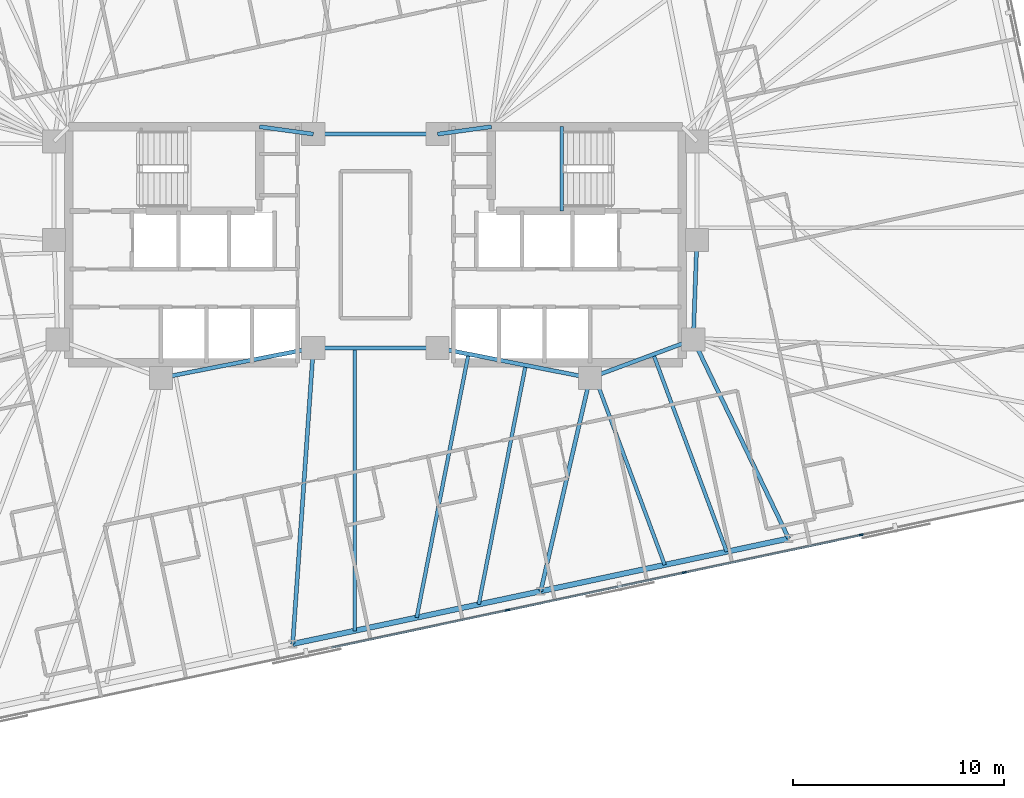
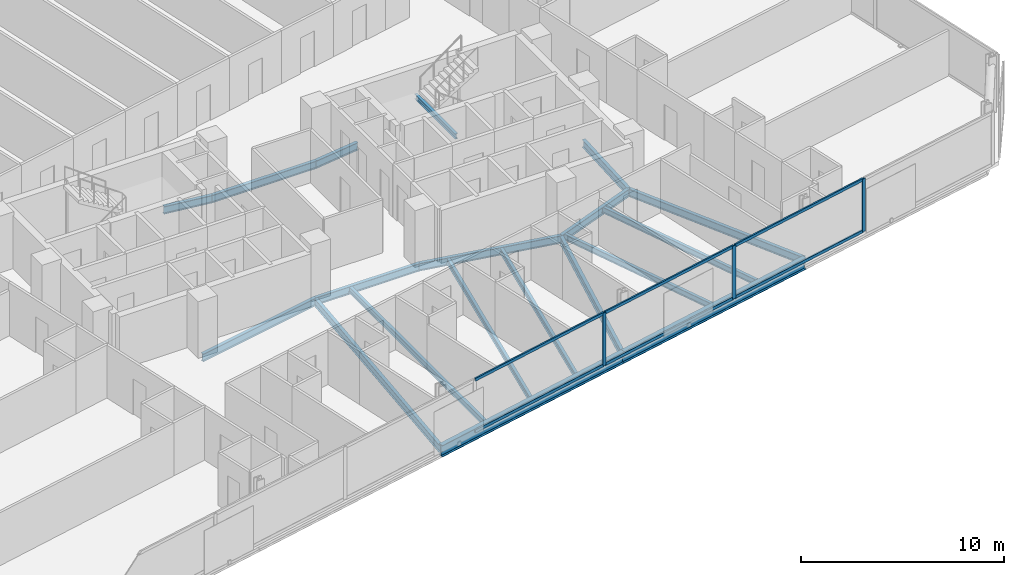
# One storey, part 7 of 21: 19 beams, 9 members, 1 element without a shape of its own.
"""IFC4 building model written with IfcOpenShell, lengths in metres."""

from ifc_helpers import new_model, si_unit, direction, frame, origin, origin_2d, place, context, subcontext, project, spatial, rectangle, i_section, extrude, material, material_profile, profile_set, type_object, element, aggregate, save


model = new_model("IFC4")

# Units and contexts
model_context = context("Model", 3, precision=1e-05, world=origin(), true_north=direction((0.0, 1.0)))
body_context = subcontext(model_context, "Body", "Model", "MODEL_VIEW")
ifc_project = project(units=[si_unit("LENGTHUNIT", "METRE"), si_unit("AREAUNIT", "SQUARE_METRE"), si_unit("VOLUMEUNIT", "CUBIC_METRE"), si_unit("PLANEANGLEUNIT", "RADIAN"), si_unit("MASSUNIT", "GRAM", prefix="KILO")], contexts=[model_context])

# Site, building, storey
site_placement = place(None, origin())
site = spatial("IfcSite", under=ifc_project, at=site_placement, CompositionType="ELEMENT")
building_placement = place(site_placement, origin())
building = spatial("IfcBuilding", under=site, at=building_placement, Name="Menara Jurai Vektor", CompositionType="ELEMENT")
storey_placement = place(building_placement, frame((0.0, 0.0, 188.800048828125)))
storey = spatial("IfcBuildingStorey", under=building, at=storey_placement, Name="L49", CompositionType="ELEMENT", Elevation=188.800048828125)

# Curtain wall, members
ifc_material_1 = material(Name="Anodised Pale Aluminium & Low-E Double Glazing", Category="aluminium")
curtain_wall_type = type_object("IfcCurtainWallType", Name="CW-BLK3", PredefinedType="NOTDEFINED", material=ifc_material_1)
curtain_wall_placement = place(storey_placement, origin())
curtain_wall = element("IfcCurtainWall", 1, at=curtain_wall_placement, inside=storey, type_object=curtain_wall_type, Name="Unitised Curtain Wall L49 F01", PredefinedType="NOTDEFINED")
ifc_material_2 = material(Name="Anodised Pale Aluminium Mullion", Category="aluminium")
ifc_material_profile_1 = material_profile(ifc_material_2, rectangle(XDim=0.0849609375, YDim=0.205078125, at=origin_2d()), Name="ALU MUL 85x205")
ifc_profile_set_1 = profile_set([ifc_material_profile_1], Name="Anodised Pale Aluminium Mullion")
member_type_1 = type_object("IfcMemberType", Name="CW-BLK3-MUL", PredefinedType="MULLION", material=ifc_profile_set_1)
member_1_placement = place(storey_placement, frame((6.264892578125, -17.338623046875, 0.0), z_axis=(0.0, 0.0, 1.0), x_axis=(-0.207911344156, 0.978147674419, 0.0)))
member_1 = element("IfcMember", 2, at=member_1_placement, type_object=member_type_1, Name="CW-03 mullion 5", PredefinedType="MULLION", context=body_context, shape_type="SweptSolid", body=[
    extrude(rectangle(XDim=0.0849609375, YDim=0.205078125, at=origin_2d()), origin(), (0.0, 0.0, 1.0), 3.175048828125),
])
member_2_placement = place(storey_placement, frame((14.65478515625, -15.55517578125, 0.0), z_axis=(0.0, 0.0, 1.0), x_axis=(-0.207911344156, 0.978147674419, 0.0)))
member_2 = element("IfcMember", 3, at=member_2_placement, type_object=member_type_1, Name="CW-03 mullion 6", PredefinedType="MULLION", context=body_context, shape_type="SweptSolid", body=[
    extrude(rectangle(XDim=0.0849609375, YDim=0.205078125, at=origin_2d()), origin(), (0.0, 0.0, 1.0), 3.175048828125),
])
member_3_placement = place(storey_placement, frame((23.04443359375, -13.77197265625, 0.0), z_axis=(0.0, 0.0, 1.0), x_axis=(-0.207911344156, 0.978147674419, 0.0)))
member_3 = element("IfcMember", 4, at=member_3_placement, type_object=member_type_1, Name="CW-03 mullion 7", PredefinedType="MULLION", context=body_context, shape_type="SweptSolid", body=[
    extrude(rectangle(XDim=0.0849609375, YDim=0.205078125, at=origin_2d()), origin(), (0.0, 0.0, 1.0), 3.175048828125),
])
ifc_material_3 = material(Name="Anodised Pale Aluminium Transom", Category="aluminium")
ifc_material_profile_2 = material_profile(ifc_material_3, rectangle(XDim=0.0849609375, YDim=0.175048828125, at=origin_2d()), Name="ALU TRN 85x175")
ifc_profile_set_2 = profile_set([ifc_material_profile_2], Name="Anodised Pale Aluminium Transom")
member_type_2 = type_object("IfcMemberType", Name="CW-BLK3-TRN", PredefinedType="USERDEFINED", material=ifc_profile_set_2)
member_4_placement = place(storey_placement, frame((-2.083251953125, -19.113037109375, 0.04248046875), z_axis=(0.978147743708, 0.207911018178, 0.0), x_axis=(-0.207911018178, 0.978147743708, 0.0)))
member_4 = element("IfcMember", 5, at=member_4_placement, type_object=member_type_2, Name="CW-03 transom 4.1", ObjectType="TRANSOM", PredefinedType="USERDEFINED", context=body_context, shape_type="SweptSolid", body=[
    extrude(rectangle(XDim=0.0849609375, YDim=0.175048828125, at=origin_2d()), origin(), (0.0, 0.0, 1.0), 8.4921875),
])
member_5_placement = place(storey_placement, frame((-2.083251953125, -19.113037109375, 3.132568359375), z_axis=(0.978147743708, 0.207911018178, 0.0), x_axis=(-0.207911018178, 0.978147743708, 0.0)))
member_5 = element("IfcMember", 6, at=member_5_placement, type_object=member_type_2, Name="CW-03 transom 4.2", ObjectType="TRANSOM", PredefinedType="USERDEFINED", context=body_context, shape_type="SweptSolid", body=[
    extrude(rectangle(XDim=0.0849609375, YDim=0.175048828125, at=origin_2d()), origin(), (0.0, 0.0, 1.0), 8.4921875),
])
member_6_placement = place(storey_placement, frame((6.306640625, -17.329833984375, 0.04248046875), z_axis=(0.978146500933, 0.207916864907, 0.0), x_axis=(-0.207916864907, 0.978146500933, 0.0)))
member_6 = element("IfcMember", 7, at=member_6_placement, type_object=member_type_2, Name="CW-03 transom 5.1", ObjectType="TRANSOM", PredefinedType="USERDEFINED", context=body_context, shape_type="SweptSolid", body=[
    extrude(rectangle(XDim=0.0849609375, YDim=0.175048828125, at=origin_2d()), origin(), (0.0, 0.0, 1.0), 8.491943359375),
])
member_7_placement = place(storey_placement, frame((6.306640625, -17.329833984375, 3.132568359375), z_axis=(0.978146500933, 0.207916864907, 0.0), x_axis=(-0.207916864907, 0.978146500933, 0.0)))
member_7 = element("IfcMember", 8, at=member_7_placement, type_object=member_type_2, Name="CW-03 transom 5.2", ObjectType="TRANSOM", PredefinedType="USERDEFINED", context=body_context, shape_type="SweptSolid", body=[
    extrude(rectangle(XDim=0.0849609375, YDim=0.175048828125, at=origin_2d()), origin(), (0.0, 0.0, 1.0), 8.491943359375),
])
member_8_placement = place(storey_placement, frame((14.6962890625, -15.54638671875, 0.04248046875), z_axis=(0.978147743708, 0.207911018178, 0.0), x_axis=(-0.207911018178, 0.978147743708, 0.0)))
member_8 = element("IfcMember", 9, at=member_8_placement, type_object=member_type_2, Name="CW-03 transom 6.1", ObjectType="TRANSOM", PredefinedType="USERDEFINED", context=body_context, shape_type="SweptSolid", body=[
    extrude(rectangle(XDim=0.0849609375, YDim=0.175048828125, at=origin_2d()), origin(), (0.0, 0.0, 1.0), 8.4921875),
])
member_9_placement = place(storey_placement, frame((14.6962890625, -15.54638671875, 3.132568359375), z_axis=(0.978147743708, 0.207911018178, 0.0), x_axis=(-0.207911018178, 0.978147743708, 0.0)))
member_9 = element("IfcMember", 10, at=member_9_placement, type_object=member_type_2, Name="CW-03 transom 6.2", ObjectType="TRANSOM", PredefinedType="USERDEFINED", context=body_context, shape_type="SweptSolid", body=[
    extrude(rectangle(XDim=0.0849609375, YDim=0.175048828125, at=origin_2d()), origin(), (0.0, 0.0, 1.0), 8.4921875),
])
aggregate(curtain_wall, [member_1, member_2, member_3, member_4, member_5, member_6, member_7, member_8, member_9])

# Beams
ifc_material_4 = material(Name="Steel S355", Category="steel")
ifc_material_profile_3 = material_profile(ifc_material_4, i_section(OverallWidth=0.19091796875, OverallDepth=0.4599609375, WebThickness=0.010009765625, FlangeThickness=0.01611328125, FilletRadius=0.010009765625, at=origin_2d()), Name="UKB 457x191x82")
ifc_profile_set_3 = profile_set([ifc_material_profile_3], Name="Steel S355")
beam_type_1 = type_object("IfcBeamType", Name="STR-BM-457", PredefinedType="BEAM", material=ifc_profile_set_3)
beam_1_placement = place(storey_placement, frame((-5.5, 5.60009765625, -0.455078125), z_axis=(0.990706818608, -0.136014703483, 0.0), x_axis=(0.136014703483, 0.990706818608, 0.0)))
element("IfcBeam", 11, at=beam_1_placement, inside=storey, type_object=beam_type_1, Name="Core Ring Header Girder L49-CHW-N2", PredefinedType="BEAM", context=body_context, shape_type="SweptSolid", body=[
    extrude(i_section(OverallWidth=0.19091796875, OverallDepth=0.4599609375, WebThickness=0.010009765625, FlangeThickness=0.01611328125, FilletRadius=0.010009765625, at=origin_2d()), origin(), (0.0, 0.0, 1.0), 2.573974609375),
])
beam_2_placement = place(storey_placement, frame((-10.179931640625, -6.320068359375, -0.455078125), z_axis=(0.981249044334, 0.192744164614, 0.0), x_axis=(-0.192744164614, 0.981249044334, 0.0)))
element("IfcBeam", 12, at=beam_2_placement, inside=storey, type_object=beam_type_1, Name="Core Ring Header Girder L49-CHW-S2", PredefinedType="BEAM", context=body_context, shape_type="SweptSolid", body=[
    extrude(i_section(OverallWidth=0.19091796875, OverallDepth=0.4599609375, WebThickness=0.010009765625, FlangeThickness=0.01611328125, FilletRadius=0.010009765625, at=origin_2d()), origin(), (0.0, 0.0, 1.0), 7.3681640625),
])
beam_3_placement = place(storey_placement, frame((2.949951171875, 5.25, -0.455078125), z_axis=(0.990706818608, 0.136014703483, 0.0), x_axis=(-0.136014703483, 0.990706818608, 0.0)))
element("IfcBeam", 13, at=beam_3_placement, inside=storey, type_object=beam_type_1, Name="Core Ring Header Girder L49-CHE-N1", PredefinedType="BEAM", context=body_context, shape_type="SweptSolid", body=[
    extrude(i_section(OverallWidth=0.19091796875, OverallDepth=0.4599609375, WebThickness=0.010009765625, FlangeThickness=0.01611328125, FilletRadius=0.010009765625, at=origin_2d()), origin(), (0.0, 0.0, 1.0), 2.573974609375),
])
beam_4_placement = place(storey_placement, frame((15.080078125, -4.5, -0.455078125), z_axis=(0.035977314146, 0.999352606874, 0.0), x_axis=(-0.999352606874, 0.035977314146, 0.0)))
element("IfcBeam", 14, at=beam_4_placement, inside=storey, type_object=beam_type_1, Name="Core Ring Header Girder L49-CHE-E2", PredefinedType="BEAM", context=body_context, shape_type="SweptSolid", body=[
    extrude(i_section(OverallWidth=0.19091796875, OverallDepth=0.4599609375, WebThickness=0.010009765625, FlangeThickness=0.01611328125, FilletRadius=0.010009765625, at=origin_2d()), origin(), (0.0, 0.0, 1.0), 4.72314453125),
])
beam_5_placement = place(storey_placement, frame((10.179931640625, -6.320068359375, -0.455078125), z_axis=(0.937424400887, 0.348188874925, 0.0), x_axis=(-0.348188874925, 0.937424400887, 0.0)))
element("IfcBeam", 15, at=beam_5_placement, inside=storey, type_object=beam_type_1, Name="Core Ring Header Girder L49-CHE-S1", PredefinedType="BEAM", context=body_context, shape_type="SweptSolid", body=[
    extrude(i_section(OverallWidth=0.19091796875, OverallDepth=0.4599609375, WebThickness=0.010009765625, FlangeThickness=0.01611328125, FilletRadius=0.010009765625, at=origin_2d()), origin(), (0.0, 0.0, 1.0), 5.227294921875),
])
beam_6_placement = place(storey_placement, frame((2.949951171875, -4.89990234375, -0.455078125), z_axis=(0.981249044334, -0.192744164614, 0.0), x_axis=(0.192744164614, 0.981249044334, 0.0)))
element("IfcBeam", 16, at=beam_6_placement, inside=storey, type_object=beam_type_1, Name="Core Ring Header Girder L49-CHE-S2", PredefinedType="BEAM", context=body_context, shape_type="SweptSolid", body=[
    extrude(i_section(OverallWidth=0.19091796875, OverallDepth=0.4599609375, WebThickness=0.010009765625, FlangeThickness=0.01611328125, FilletRadius=0.010009765625, at=origin_2d()), origin(), (0.0, 0.0, 1.0), 7.3681640625),
])
for number, where, z_axis, x_axis, name in (
    (17, (-2.949951171875, -4.89990234375, -0.455078125), (1.0, 0.0, 0.0), (0.0, 1.0, 0.0), "Core Ring Header Girder L49-CC-1"),
    (18, (-2.949951171875, 5.25, -0.455078125), (1.0, 0.0, 0.0), (0.0, 1.0, 0.0), "Core Ring Header Girder L49-CC-2"),
):
    element("IfcBeam", number, at=place(storey_placement, frame(where, z_axis=z_axis, x_axis=x_axis)), inside=storey, type_object=beam_type_1, Name=name, PredefinedType="BEAM", context=body_context, shape_type="SweptSolid", body=[
        extrude(i_section(OverallWidth=0.19091796875, OverallDepth=0.4599609375, WebThickness=0.010009765625, FlangeThickness=0.01611328125, FilletRadius=0.010009765625, at=origin_2d()), origin(), (0.0, 0.0, 1.0), 5.89990234375),
    ])
beam_7_placement = place(storey_placement, frame((-3.928466796875, -18.94287109375, -0.455078125), z_axis=(0.06951156523, 0.997581145722, 0.0), x_axis=(-0.997581145722, 0.06951156523, 0.0)))
element("IfcBeam", 19, at=beam_7_placement, inside=storey, type_object=beam_type_1, Name="Radial Floor Girder L49-S3", PredefinedType="BEAM", context=body_context, shape_type="SweptSolid", body=[
    extrude(i_section(OverallWidth=0.19091796875, OverallDepth=0.4599609375, WebThickness=0.010009765625, FlangeThickness=0.01611328125, FilletRadius=0.010009765625, at=origin_2d()), origin(), (0.0, 0.0, 1.0), 14.076904296875),
])
beam_8_placement = place(storey_placement, frame((7.83984375, -16.44140625, -0.455078125), z_axis=(0.225261124248, 0.974298427538, 0.0), x_axis=(-0.974298427538, 0.225261124248, 0.0)))
element("IfcBeam", 20, at=beam_8_placement, inside=storey, type_object=beam_type_1, Name="Radial Floor Girder L49-S4", PredefinedType="BEAM", context=body_context, shape_type="SweptSolid", body=[
    extrude(i_section(OverallWidth=0.19091796875, OverallDepth=0.4599609375, WebThickness=0.010009765625, FlangeThickness=0.01611328125, FilletRadius=0.010009765625, at=origin_2d()), origin(), (0.0, 0.0, 1.0), 10.388427734375),
])
beam_9_placement = place(storey_placement, frame((19.608154296875, -13.940185546875, -0.455078125), z_axis=(-0.432481646932, 0.901642736935, 0.0), x_axis=(-0.901642736935, -0.432481646932, 0.0)))
element("IfcBeam", 21, at=beam_9_placement, inside=storey, type_object=beam_type_1, Name="Radial Floor Girder L49-S5", PredefinedType="BEAM", context=body_context, shape_type="SweptSolid", body=[
    extrude(i_section(OverallWidth=0.19091796875, OverallDepth=0.4599609375, WebThickness=0.010009765625, FlangeThickness=0.01611328125, FilletRadius=0.010009765625, at=origin_2d()), origin(), (0.0, 0.0, 1.0), 10.469970703125),
])
ifc_material_profile_4 = material_profile(ifc_material_4, i_section(OverallWidth=0.172119140625, OverallDepth=0.35498046875, WebThickness=0.007080078125, FlangeThickness=0.011962890625, FilletRadius=0.010009765625, at=origin_2d()), Name="UKB 356x171x51")
ifc_profile_set_4 = profile_set([ifc_material_profile_4], Name="Steel S355")
beam_type_2 = type_object("IfcBeamType", Name="STR-JS-356", PredefinedType="JOIST", material=ifc_profile_set_4)
beam_10_placement = place(storey_placement, frame((-0.986328125, -18.3173828125, -0.402587890625), z_axis=(0.0, 1.0, 0.0), x_axis=(-1.0, 0.0, 0.0)))
element("IfcBeam", 22, at=beam_10_placement, inside=storey, type_object=beam_type_2, Name="Radial Secondary Floor Joist L49-JS05", PredefinedType="JOIST", context=body_context, shape_type="SweptSolid", body=[
    extrude(i_section(OverallWidth=0.172119140625, OverallDepth=0.35498046875, WebThickness=0.007080078125, FlangeThickness=0.011962890625, FilletRadius=0.010009765625, at=origin_2d()), origin(), (0.0, 0.0, 1.0), 13.41748046875),
])
beam_11_placement = place(storey_placement, frame((1.955810546875, -17.692138671875, -0.402587890625), z_axis=(0.192721917664, 0.981253413982, 0.0), x_axis=(-0.981253413982, 0.192721917664, 0.0)))
element("IfcBeam", 23, at=beam_11_placement, inside=storey, type_object=beam_type_2, Name="Radial Secondary Floor Joist L49-JS06", PredefinedType="JOIST", context=body_context, shape_type="SweptSolid", body=[
    extrude(i_section(OverallWidth=0.172119140625, OverallDepth=0.35498046875, WebThickness=0.007080078125, FlangeThickness=0.011962890625, FilletRadius=0.010009765625, at=origin_2d()), origin(), (0.0, 0.0, 1.0), 12.744140625),
])
beam_12_placement = place(storey_placement, frame((4.897705078125, -17.06689453125, -0.402587890625), z_axis=(0.19272061905, 0.981253669034, 0.0), x_axis=(-0.981253669034, 0.19272061905, 0.0)))
element("IfcBeam", 24, at=beam_12_placement, inside=storey, type_object=beam_type_2, Name="Radial Secondary Floor Joist L49-JS07", PredefinedType="JOIST", context=body_context, shape_type="SweptSolid", body=[
    extrude(i_section(OverallWidth=0.172119140625, OverallDepth=0.35498046875, WebThickness=0.007080078125, FlangeThickness=0.011962890625, FilletRadius=0.010009765625, at=origin_2d()), origin(), (0.0, 0.0, 1.0), 11.5634765625),
])
beam_13_placement = place(storey_placement, frame((13.72412109375, -15.19091796875, -0.402587890625), z_axis=(-0.348196799641, 0.93742145736, 0.0), x_axis=(-0.93742145736, -0.348196799641, 0.0)))
element("IfcBeam", 25, at=beam_13_placement, inside=storey, type_object=beam_type_2, Name="Radial Secondary Floor Joist L49-JS08", PredefinedType="JOIST", context=body_context, shape_type="SweptSolid", body=[
    extrude(i_section(OverallWidth=0.172119140625, OverallDepth=0.35498046875, WebThickness=0.007080078125, FlangeThickness=0.011962890625, FilletRadius=0.010009765625, at=origin_2d()), origin(), (0.0, 0.0, 1.0), 9.5498046875),
])
beam_14_placement = place(storey_placement, frame((16.666015625, -14.5654296875, -0.402587890625), z_axis=(-0.348180392292, 0.93742755156, 0.0), x_axis=(-0.93742755156, -0.348180392292, 0.0)))
element("IfcBeam", 26, at=beam_14_placement, inside=storey, type_object=beam_type_2, Name="Radial Secondary Floor Joist L49-JS09", PredefinedType="JOIST", context=body_context, shape_type="SweptSolid", body=[
    extrude(i_section(OverallWidth=0.172119140625, OverallDepth=0.35498046875, WebThickness=0.007080078125, FlangeThickness=0.011962890625, FilletRadius=0.010009765625, at=origin_2d()), origin(), (0.0, 0.0, 1.0), 9.98779296875),
])
ifc_material_profile_5 = material_profile(ifc_material_4, i_section(OverallWidth=0.1650390625, OverallDepth=0.302978515625, WebThickness=0.006103515625, FlangeThickness=0.010009765625, FilletRadius=0.009033203125, at=origin_2d()), Name="UKB 305x165x40")
ifc_profile_set_5 = profile_set([ifc_material_profile_5], Name="Steel S355")
beam_type_3 = type_object("IfcBeamType", Name="STR-LN-305", PredefinedType="LINTEL", material=ifc_profile_set_5)
beam_15_placement = place(storey_placement, frame((8.830078125, 1.60009765625, 1.348388671875), z_axis=(0.0, 1.0, 0.0), x_axis=(-1.0, 0.0, 0.0)))
element("IfcBeam", 27, at=beam_15_placement, inside=storey, type_object=beam_type_3, Name="Stair Half-Landing Nosing Trimmer ST2-1 L49", PredefinedType="LINTEL", context=body_context, shape_type="SweptSolid", body=[
    extrude(i_section(OverallWidth=0.1650390625, OverallDepth=0.302978515625, WebThickness=0.006103515625, FlangeThickness=0.010009765625, FilletRadius=0.009033203125, at=origin_2d()), origin(), (0.0, 0.0, 1.0), 4.0),
])
ifc_material_5 = material(Name="Steel S460", Category="steel")
ifc_material_profile_6 = material_profile(ifc_material_5, i_section(OverallWidth=0.256103515625, OverallDepth=0.693115234375, WebThickness=0.013916015625, FlangeThickness=0.02392578125, FilletRadius=0.014892578125, at=origin_2d()), Name="UKB 686x254x170")
ifc_profile_set_6 = profile_set([ifc_material_profile_6], Name="Steel S460")
beam_type_4 = type_object("IfcBeamType", Name="STR-SP-686", PredefinedType="SPANDREL", material=ifc_profile_set_6)
for number, where, z_axis, x_axis, name in (
    (28, (-3.928466796875, -18.94287109375, -0.571533203125), (0.978147039247, 0.207914332389, 0.0), (-0.207914332389, 0.978147039247, 0.0), "Exoskeleton Spandrel Beam L49-03"),
    (29, (7.83984375, -16.44140625, -0.571533203125), (0.978151165921, 0.207894917222, 0.0), (-0.207894917222, 0.978151165921, 0.0), "Exoskeleton Spandrel Beam L49-04"),
):
    element("IfcBeam", number, at=place(storey_placement, frame(where, z_axis=z_axis, x_axis=x_axis)), inside=storey, type_object=beam_type_4, Name=name, PredefinedType="SPANDREL", context=body_context, shape_type="SweptSolid", body=[
        extrude(i_section(OverallWidth=0.256103515625, OverallDepth=0.693115234375, WebThickness=0.013916015625, FlangeThickness=0.02392578125, FilletRadius=0.014892578125, at=origin_2d()), origin(), (0.0, 0.0, 1.0), 12.03125),
    ])

save(model, "model.ifc")
